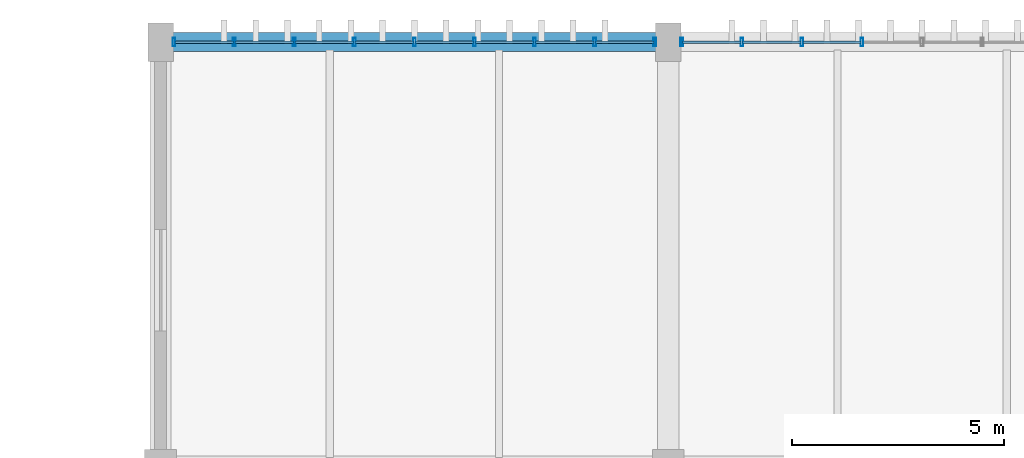
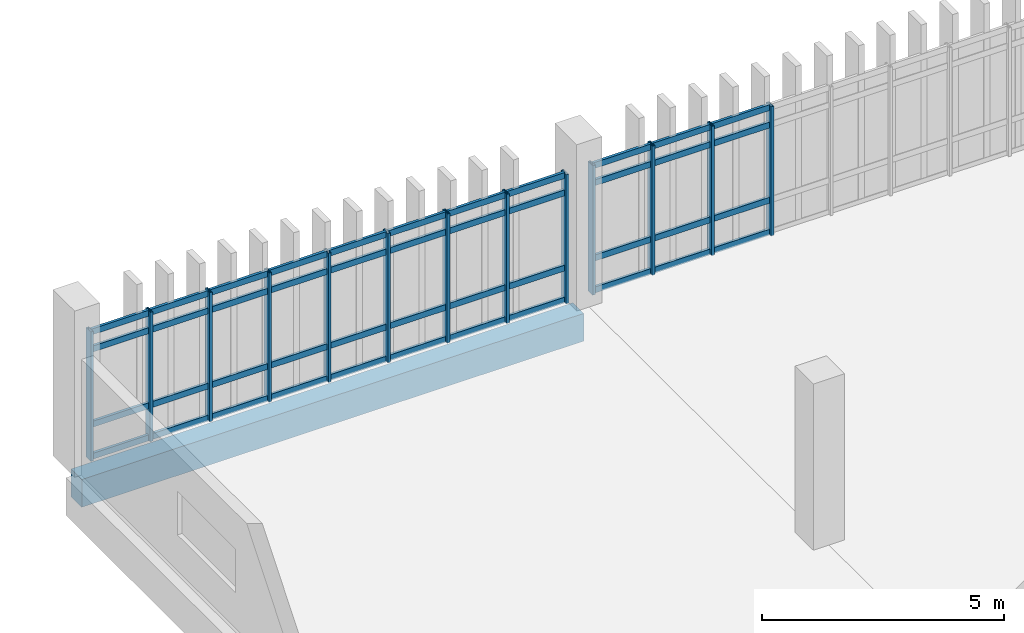
# One storey, part 73 of 161: 57 members, 1 beam, 2 elements without a shape of their own.
"""IFC4 building model written with IfcOpenShell, lengths in metres."""

from ifc_helpers import new_model, si_unit, direction, frame, origin, origin_2d, place, context, subcontext, project, spatial, rectangle, hollow_rectangle, extrude, material, layer, layer_set, material_profile, profile_set, type_object, element, aggregate, save


model = new_model("IFC4")

# Units and contexts
model_context = context("Model", 3, precision=1e-05, world=origin(), true_north=direction((0.0, 1.0)))
body_context = subcontext(model_context, "Body", "Model", "MODEL_VIEW")
ifc_project = project(units=[si_unit("LENGTHUNIT", "METRE"), si_unit("AREAUNIT", "SQUARE_METRE"), si_unit("VOLUMEUNIT", "CUBIC_METRE"), si_unit("PLANEANGLEUNIT", "RADIAN"), si_unit("MASSUNIT", "GRAM", prefix="KILO")], contexts=[model_context])

# Site, building, storey
site_placement = place(None, origin())
site = spatial("IfcSite", under=ifc_project, at=site_placement, CompositionType="ELEMENT")
building_placement = place(site_placement, origin())
building = spatial("IfcBuilding", under=site, at=building_placement, Name="Mersad Railyard Sports Hall", CompositionType="ELEMENT")
storey_placement = place(building_placement, frame((0.0, 0.0, 4.800048828125)))
storey = spatial("IfcBuildingStorey", under=building, at=storey_placement, Name="L01", CompositionType="ELEMENT", Elevation=4.800048828125)

# Curtain wall, members
ifc_material_1 = material(Name="Aluminium 6063-T6", Category="aluminium")
ifc_layer = layer(ifc_material_1, 0.199951171875)
ifc_layer_set = layer_set([ifc_layer], Name="Aluminium 6063-T6")
curtain_wall_type = type_object("IfcCurtainWallType", Name="ARC-CW-CW34", PredefinedType="USERDEFINED", material=ifc_layer_set)
curtain_wall_1_placement = place(storey_placement, origin())
curtain_wall_1 = element("IfcCurtainWall", 1, at=curtain_wall_1_placement, inside=storey, type_object=curtain_wall_type, Name="Curtain wall CW34-0095", ObjectType="CURTAIN WALL", PredefinedType="USERDEFINED")
ifc_material_profile_1 = material_profile(ifc_material_1, hollow_rectangle(XDim=0.06494140625, YDim=0.199951171875, WallThickness=0.0048828125, at=origin_2d()), Name="AL MULLION 65x200x5")
ifc_profile_set_1 = profile_set([ifc_material_profile_1], Name="Aluminium 6063-T6")
member_type_1 = type_object("IfcMemberType", Name="ARC-CW-MUL02", PredefinedType="MULLION", material=ifc_profile_set_1)
member_1_placement = place(storey_placement, frame((43.320068359375, 115.0, -0.02001953125), z_axis=(0.0, 0.0, 1.0), x_axis=(1.0, 0.0, 0.0)))
member_1 = element("IfcMember", 2, at=member_1_placement, type_object=member_type_1, Name="CW34 Mullion 1", PredefinedType="MULLION", context=body_context, shape_type="SweptSolid", body=[
    extrude(hollow_rectangle(XDim=0.06494140625, YDim=0.199951171875, WallThickness=0.0048828125, at=origin_2d()), origin(), (0.0, 0.0, 1.0), 3.27001953125),
])
member_2_placement = place(storey_placement, frame((44.739990234375, 115.0, -0.02001953125), z_axis=(0.0, 0.0, 1.0), x_axis=(1.0, 0.0, 0.0)))
member_2 = element("IfcMember", 3, at=member_2_placement, type_object=member_type_1, Name="CW34 Mullion 2", PredefinedType="MULLION", context=body_context, shape_type="SweptSolid", body=[
    extrude(hollow_rectangle(XDim=0.06494140625, YDim=0.199951171875, WallThickness=0.0048828125, at=origin_2d()), origin(), (0.0, 0.0, 1.0), 3.27001953125),
])
member_3_placement = place(storey_placement, frame((46.159912109375, 115.0, -0.02001953125), z_axis=(0.0, 0.0, 1.0), x_axis=(1.0, 0.0, 0.0)))
member_3 = element("IfcMember", 4, at=member_3_placement, type_object=member_type_1, Name="CW34 Mullion 3", PredefinedType="MULLION", context=body_context, shape_type="SweptSolid", body=[
    extrude(hollow_rectangle(XDim=0.06494140625, YDim=0.199951171875, WallThickness=0.0048828125, at=origin_2d()), origin(), (0.0, 0.0, 1.0), 3.27001953125),
])
member_4_placement = place(storey_placement, frame((47.580078125, 115.0, -0.02001953125), z_axis=(0.0, 0.0, 1.0), x_axis=(1.0, 0.0, 0.0)))
member_4 = element("IfcMember", 5, at=member_4_placement, type_object=member_type_1, Name="CW34 Mullion 4", PredefinedType="MULLION", context=body_context, shape_type="SweptSolid", body=[
    extrude(hollow_rectangle(XDim=0.06494140625, YDim=0.199951171875, WallThickness=0.0048828125, at=origin_2d()), origin(), (0.0, 0.0, 1.0), 3.27001953125),
])
member_5_placement = place(storey_placement, frame((49.0, 115.0, -0.02001953125), z_axis=(0.0, 0.0, 1.0), x_axis=(1.0, 0.0, 0.0)))
member_5 = element("IfcMember", 6, at=member_5_placement, type_object=member_type_1, Name="CW34 Mullion 5", PredefinedType="MULLION", context=body_context, shape_type="SweptSolid", body=[
    extrude(hollow_rectangle(XDim=0.06494140625, YDim=0.199951171875, WallThickness=0.0048828125, at=origin_2d()), origin(), (0.0, 0.0, 1.0), 3.27001953125),
])
member_6_placement = place(storey_placement, frame((50.419921875, 115.0, -0.02001953125), z_axis=(0.0, 0.0, 1.0), x_axis=(1.0, 0.0, 0.0)))
member_6 = element("IfcMember", 7, at=member_6_placement, type_object=member_type_1, Name="CW34 Mullion 6", PredefinedType="MULLION", context=body_context, shape_type="SweptSolid", body=[
    extrude(hollow_rectangle(XDim=0.06494140625, YDim=0.199951171875, WallThickness=0.0048828125, at=origin_2d()), origin(), (0.0, 0.0, 1.0), 3.27001953125),
])
member_7_placement = place(storey_placement, frame((51.840087890625, 115.0, -0.02001953125), z_axis=(0.0, 0.0, 1.0), x_axis=(1.0, 0.0, 0.0)))
member_7 = element("IfcMember", 8, at=member_7_placement, type_object=member_type_1, Name="CW34 Mullion 7", PredefinedType="MULLION", context=body_context, shape_type="SweptSolid", body=[
    extrude(hollow_rectangle(XDim=0.06494140625, YDim=0.199951171875, WallThickness=0.0048828125, at=origin_2d()), origin(), (0.0, 0.0, 1.0), 3.27001953125),
])
member_8_placement = place(storey_placement, frame((53.260009765625, 115.0, -0.02001953125), z_axis=(0.0, 0.0, 1.0), x_axis=(1.0, 0.0, 0.0)))
member_8 = element("IfcMember", 9, at=member_8_placement, type_object=member_type_1, Name="CW34 Mullion 8", PredefinedType="MULLION", context=body_context, shape_type="SweptSolid", body=[
    extrude(hollow_rectangle(XDim=0.06494140625, YDim=0.199951171875, WallThickness=0.0048828125, at=origin_2d()), origin(), (0.0, 0.0, 1.0), 3.27001953125),
])
member_9_placement = place(storey_placement, frame((54.679931640625, 115.0, -0.02001953125), z_axis=(0.0, 0.0, 1.0), x_axis=(1.0, 0.0, 0.0)))
member_9 = element("IfcMember", 10, at=member_9_placement, type_object=member_type_1, Name="CW34 Mullion 9", PredefinedType="MULLION", context=body_context, shape_type="SweptSolid", body=[
    extrude(hollow_rectangle(XDim=0.06494140625, YDim=0.199951171875, WallThickness=0.0048828125, at=origin_2d()), origin(), (0.0, 0.0, 1.0), 3.27001953125),
])

curtain_wall_2_placement = place(storey_placement, origin())
curtain_wall_2 = element("IfcCurtainWall", 11, at=curtain_wall_2_placement, inside=storey, type_object=curtain_wall_type, Name="Curtain wall CW34-0096", ObjectType="CURTAIN WALL", PredefinedType="USERDEFINED")
member_10_placement = place(storey_placement, frame((55.320068359375, 115.0, -0.02001953125), z_axis=(0.0, 0.0, 1.0), x_axis=(1.0, 0.0, 0.0)))
member_10 = element("IfcMember", 12, at=member_10_placement, type_object=member_type_1, Name="CW34 Mullion 1", PredefinedType="MULLION", context=body_context, shape_type="SweptSolid", body=[
    extrude(hollow_rectangle(XDim=0.06494140625, YDim=0.199951171875, WallThickness=0.0048828125, at=origin_2d()), origin(), (0.0, 0.0, 1.0), 3.27001953125),
])
member_11_placement = place(storey_placement, frame((56.739990234375, 115.0, -0.02001953125), z_axis=(0.0, 0.0, 1.0), x_axis=(1.0, 0.0, 0.0)))
member_11 = element("IfcMember", 13, at=member_11_placement, type_object=member_type_1, Name="CW34 Mullion 2", PredefinedType="MULLION", context=body_context, shape_type="SweptSolid", body=[
    extrude(hollow_rectangle(XDim=0.06494140625, YDim=0.199951171875, WallThickness=0.0048828125, at=origin_2d()), origin(), (0.0, 0.0, 1.0), 3.27001953125),
])
member_12_placement = place(storey_placement, frame((58.159912109375, 115.0, -0.02001953125), z_axis=(0.0, 0.0, 1.0), x_axis=(1.0, 0.0, 0.0)))
member_12 = element("IfcMember", 14, at=member_12_placement, type_object=member_type_1, Name="CW34 Mullion 3", PredefinedType="MULLION", context=body_context, shape_type="SweptSolid", body=[
    extrude(hollow_rectangle(XDim=0.06494140625, YDim=0.199951171875, WallThickness=0.0048828125, at=origin_2d()), origin(), (0.0, 0.0, 1.0), 3.27001953125),
])
member_13_placement = place(storey_placement, frame((59.580078125, 115.0, -0.02001953125), z_axis=(0.0, 0.0, 1.0), x_axis=(1.0, 0.0, 0.0)))
member_13 = element("IfcMember", 15, at=member_13_placement, type_object=member_type_1, Name="CW34 Mullion 4", PredefinedType="MULLION", context=body_context, shape_type="SweptSolid", body=[
    extrude(hollow_rectangle(XDim=0.06494140625, YDim=0.199951171875, WallThickness=0.0048828125, at=origin_2d()), origin(), (0.0, 0.0, 1.0), 3.27001953125),
])

# Member
ifc_material_profile_2 = material_profile(ifc_material_1, hollow_rectangle(XDim=0.06494140625, YDim=0.14990234375, WallThickness=0.00439453125, at=origin_2d()), Name="AL TRANSOM 65x150x4.5")
ifc_profile_set_2 = profile_set([ifc_material_profile_2], Name="Aluminium 6063-T6")
member_type_2 = type_object("IfcMemberType", Name="ARC-CW-TRN02", PredefinedType="USERDEFINED", material=ifc_profile_set_2)
member_14_placement = place(storey_placement, frame((43.340087890625, 115.0, 0.0400390625), z_axis=(1.0, 0.0, 0.0), x_axis=(0.0, 1.0, 0.0)))
member_14 = element("IfcMember", 16, at=member_14_placement, type_object=member_type_2, Name="CW34 Transom 1-1", ObjectType="TRANSOM", PredefinedType="USERDEFINED", context=body_context, shape_type="SweptSolid", body=[
    extrude(hollow_rectangle(XDim=0.06494140625, YDim=0.14990234375, WallThickness=0.00439453125, at=origin_2d()), origin(), (0.0, 0.0, 1.0), 1.3798828125),
])

member_15_placement = place(storey_placement, frame((44.760009765625, 115.0, 0.0400390625), z_axis=(1.0, 0.0, 0.0), x_axis=(0.0, 1.0, 0.0)))
member_15 = element("IfcMember", 17, at=member_15_placement, type_object=member_type_2, Name="CW34 Transom 1-2", ObjectType="TRANSOM", PredefinedType="USERDEFINED", context=body_context, shape_type="SweptSolid", body=[
    extrude(hollow_rectangle(XDim=0.06494140625, YDim=0.14990234375, WallThickness=0.00439453125, at=origin_2d()), origin(), (0.0, 0.0, 1.0), 1.3798828125),
])

member_16_placement = place(storey_placement, frame((46.179931640625, 115.0, 0.0400390625), z_axis=(1.0, 0.0, 0.0), x_axis=(0.0, 1.0, 0.0)))
member_16 = element("IfcMember", 18, at=member_16_placement, type_object=member_type_2, Name="CW34 Transom 1-3", ObjectType="TRANSOM", PredefinedType="USERDEFINED", context=body_context, shape_type="SweptSolid", body=[
    extrude(hollow_rectangle(XDim=0.06494140625, YDim=0.14990234375, WallThickness=0.00439453125, at=origin_2d()), origin(), (0.0, 0.0, 1.0), 1.380126953125),
])

member_17_placement = place(storey_placement, frame((47.60009765625, 115.0, 0.0400390625), z_axis=(1.0, 0.0, 0.0), x_axis=(0.0, 1.0, 0.0)))
member_17 = element("IfcMember", 19, at=member_17_placement, type_object=member_type_2, Name="CW34 Transom 1-4", ObjectType="TRANSOM", PredefinedType="USERDEFINED", context=body_context, shape_type="SweptSolid", body=[
    extrude(hollow_rectangle(XDim=0.06494140625, YDim=0.14990234375, WallThickness=0.00439453125, at=origin_2d()), origin(), (0.0, 0.0, 1.0), 1.3798828125),
])

member_18_placement = place(storey_placement, frame((49.02001953125, 115.0, 0.0400390625), z_axis=(1.0, 0.0, 0.0), x_axis=(0.0, 1.0, 0.0)))
member_18 = element("IfcMember", 20, at=member_18_placement, type_object=member_type_2, Name="CW34 Transom 1-5", ObjectType="TRANSOM", PredefinedType="USERDEFINED", context=body_context, shape_type="SweptSolid", body=[
    extrude(hollow_rectangle(XDim=0.06494140625, YDim=0.14990234375, WallThickness=0.00439453125, at=origin_2d()), origin(), (0.0, 0.0, 1.0), 1.3798828125),
])

member_19_placement = place(storey_placement, frame((50.43994140625, 115.0, 0.0400390625), z_axis=(1.0, 0.0, 0.0), x_axis=(0.0, 1.0, 0.0)))
member_19 = element("IfcMember", 21, at=member_19_placement, type_object=member_type_2, Name="CW34 Transom 1-6", ObjectType="TRANSOM", PredefinedType="USERDEFINED", context=body_context, shape_type="SweptSolid", body=[
    extrude(hollow_rectangle(XDim=0.06494140625, YDim=0.14990234375, WallThickness=0.00439453125, at=origin_2d()), origin(), (0.0, 0.0, 1.0), 1.380126953125),
])

member_20_placement = place(storey_placement, frame((51.860107421875, 115.0, 0.0400390625), z_axis=(1.0, 0.0, 0.0), x_axis=(0.0, 1.0, 0.0)))
member_20 = element("IfcMember", 22, at=member_20_placement, type_object=member_type_2, Name="CW34 Transom 1-7", ObjectType="TRANSOM", PredefinedType="USERDEFINED", context=body_context, shape_type="SweptSolid", body=[
    extrude(hollow_rectangle(XDim=0.06494140625, YDim=0.14990234375, WallThickness=0.00439453125, at=origin_2d()), origin(), (0.0, 0.0, 1.0), 1.3798828125),
])

member_21_placement = place(storey_placement, frame((53.280029296875, 115.0, 0.0400390625), z_axis=(1.0, 0.0, 0.0), x_axis=(0.0, 1.0, 0.0)))
member_21 = element("IfcMember", 23, at=member_21_placement, type_object=member_type_2, Name="CW34 Transom 1-8", ObjectType="TRANSOM", PredefinedType="USERDEFINED", context=body_context, shape_type="SweptSolid", body=[
    extrude(hollow_rectangle(XDim=0.06494140625, YDim=0.14990234375, WallThickness=0.00439453125, at=origin_2d()), origin(), (0.0, 0.0, 1.0), 1.3798828125),
])

member_22_placement = place(storey_placement, frame((43.340087890625, 115.0, 0.849853515625), z_axis=(1.0, 0.0, 0.0), x_axis=(0.0, 1.0, 0.0)))
member_22 = element("IfcMember", 24, at=member_22_placement, type_object=member_type_2, Name="CW34 Transom 2-1", ObjectType="TRANSOM", PredefinedType="USERDEFINED", context=body_context, shape_type="SweptSolid", body=[
    extrude(hollow_rectangle(XDim=0.06494140625, YDim=0.14990234375, WallThickness=0.00439453125, at=origin_2d()), origin(), (0.0, 0.0, 1.0), 1.3798828125),
])

member_23_placement = place(storey_placement, frame((44.760009765625, 115.0, 0.849853515625), z_axis=(1.0, 0.0, 0.0), x_axis=(0.0, 1.0, 0.0)))
member_23 = element("IfcMember", 25, at=member_23_placement, type_object=member_type_2, Name="CW34 Transom 2-2", ObjectType="TRANSOM", PredefinedType="USERDEFINED", context=body_context, shape_type="SweptSolid", body=[
    extrude(hollow_rectangle(XDim=0.06494140625, YDim=0.14990234375, WallThickness=0.00439453125, at=origin_2d()), origin(), (0.0, 0.0, 1.0), 1.3798828125),
])

member_24_placement = place(storey_placement, frame((46.179931640625, 115.0, 0.849853515625), z_axis=(1.0, 0.0, 0.0), x_axis=(0.0, 1.0, 0.0)))
member_24 = element("IfcMember", 26, at=member_24_placement, type_object=member_type_2, Name="CW34 Transom 2-3", ObjectType="TRANSOM", PredefinedType="USERDEFINED", context=body_context, shape_type="SweptSolid", body=[
    extrude(hollow_rectangle(XDim=0.06494140625, YDim=0.14990234375, WallThickness=0.00439453125, at=origin_2d()), origin(), (0.0, 0.0, 1.0), 1.380126953125),
])

member_25_placement = place(storey_placement, frame((47.60009765625, 115.0, 0.849853515625), z_axis=(1.0, 0.0, 0.0), x_axis=(0.0, 1.0, 0.0)))
member_25 = element("IfcMember", 27, at=member_25_placement, type_object=member_type_2, Name="CW34 Transom 2-4", ObjectType="TRANSOM", PredefinedType="USERDEFINED", context=body_context, shape_type="SweptSolid", body=[
    extrude(hollow_rectangle(XDim=0.06494140625, YDim=0.14990234375, WallThickness=0.00439453125, at=origin_2d()), origin(), (0.0, 0.0, 1.0), 1.3798828125),
])

member_26_placement = place(storey_placement, frame((49.02001953125, 115.0, 0.849853515625), z_axis=(1.0, 0.0, 0.0), x_axis=(0.0, 1.0, 0.0)))
member_26 = element("IfcMember", 28, at=member_26_placement, type_object=member_type_2, Name="CW34 Transom 2-5", ObjectType="TRANSOM", PredefinedType="USERDEFINED", context=body_context, shape_type="SweptSolid", body=[
    extrude(hollow_rectangle(XDim=0.06494140625, YDim=0.14990234375, WallThickness=0.00439453125, at=origin_2d()), origin(), (0.0, 0.0, 1.0), 1.3798828125),
])

member_27_placement = place(storey_placement, frame((50.43994140625, 115.0, 0.849853515625), z_axis=(1.0, 0.0, 0.0), x_axis=(0.0, 1.0, 0.0)))
member_27 = element("IfcMember", 29, at=member_27_placement, type_object=member_type_2, Name="CW34 Transom 2-6", ObjectType="TRANSOM", PredefinedType="USERDEFINED", context=body_context, shape_type="SweptSolid", body=[
    extrude(hollow_rectangle(XDim=0.06494140625, YDim=0.14990234375, WallThickness=0.00439453125, at=origin_2d()), origin(), (0.0, 0.0, 1.0), 1.380126953125),
])

member_28_placement = place(storey_placement, frame((51.860107421875, 115.0, 0.849853515625), z_axis=(1.0, 0.0, 0.0), x_axis=(0.0, 1.0, 0.0)))
member_28 = element("IfcMember", 30, at=member_28_placement, type_object=member_type_2, Name="CW34 Transom 2-7", ObjectType="TRANSOM", PredefinedType="USERDEFINED", context=body_context, shape_type="SweptSolid", body=[
    extrude(hollow_rectangle(XDim=0.06494140625, YDim=0.14990234375, WallThickness=0.00439453125, at=origin_2d()), origin(), (0.0, 0.0, 1.0), 1.3798828125),
])

member_29_placement = place(storey_placement, frame((53.280029296875, 115.0, 0.849853515625), z_axis=(1.0, 0.0, 0.0), x_axis=(0.0, 1.0, 0.0)))
member_29 = element("IfcMember", 31, at=member_29_placement, type_object=member_type_2, Name="CW34 Transom 2-8", ObjectType="TRANSOM", PredefinedType="USERDEFINED", context=body_context, shape_type="SweptSolid", body=[
    extrude(hollow_rectangle(XDim=0.06494140625, YDim=0.14990234375, WallThickness=0.00439453125, at=origin_2d()), origin(), (0.0, 0.0, 1.0), 1.3798828125),
])

member_30_placement = place(storey_placement, frame((43.340087890625, 115.0, 2.75), z_axis=(1.0, 0.0, 0.0), x_axis=(0.0, 1.0, 0.0)))
member_30 = element("IfcMember", 32, at=member_30_placement, type_object=member_type_2, Name="CW34 Transom 3-1", ObjectType="TRANSOM", PredefinedType="USERDEFINED", context=body_context, shape_type="SweptSolid", body=[
    extrude(hollow_rectangle(XDim=0.06494140625, YDim=0.14990234375, WallThickness=0.00439453125, at=origin_2d()), origin(), (0.0, 0.0, 1.0), 1.3798828125),
])

member_31_placement = place(storey_placement, frame((44.760009765625, 115.0, 2.75), z_axis=(1.0, 0.0, 0.0), x_axis=(0.0, 1.0, 0.0)))
member_31 = element("IfcMember", 33, at=member_31_placement, type_object=member_type_2, Name="CW34 Transom 3-2", ObjectType="TRANSOM", PredefinedType="USERDEFINED", context=body_context, shape_type="SweptSolid", body=[
    extrude(hollow_rectangle(XDim=0.06494140625, YDim=0.14990234375, WallThickness=0.00439453125, at=origin_2d()), origin(), (0.0, 0.0, 1.0), 1.3798828125),
])

member_32_placement = place(storey_placement, frame((46.179931640625, 115.0, 2.75), z_axis=(1.0, 0.0, 0.0), x_axis=(0.0, 1.0, 0.0)))
member_32 = element("IfcMember", 34, at=member_32_placement, type_object=member_type_2, Name="CW34 Transom 3-3", ObjectType="TRANSOM", PredefinedType="USERDEFINED", context=body_context, shape_type="SweptSolid", body=[
    extrude(hollow_rectangle(XDim=0.06494140625, YDim=0.14990234375, WallThickness=0.00439453125, at=origin_2d()), origin(), (0.0, 0.0, 1.0), 1.380126953125),
])

member_33_placement = place(storey_placement, frame((47.60009765625, 115.0, 2.75), z_axis=(1.0, 0.0, 0.0), x_axis=(0.0, 1.0, 0.0)))
member_33 = element("IfcMember", 35, at=member_33_placement, type_object=member_type_2, Name="CW34 Transom 3-4", ObjectType="TRANSOM", PredefinedType="USERDEFINED", context=body_context, shape_type="SweptSolid", body=[
    extrude(hollow_rectangle(XDim=0.06494140625, YDim=0.14990234375, WallThickness=0.00439453125, at=origin_2d()), origin(), (0.0, 0.0, 1.0), 1.3798828125),
])

member_34_placement = place(storey_placement, frame((49.02001953125, 115.0, 2.75), z_axis=(1.0, 0.0, 0.0), x_axis=(0.0, 1.0, 0.0)))
member_34 = element("IfcMember", 36, at=member_34_placement, type_object=member_type_2, Name="CW34 Transom 3-5", ObjectType="TRANSOM", PredefinedType="USERDEFINED", context=body_context, shape_type="SweptSolid", body=[
    extrude(hollow_rectangle(XDim=0.06494140625, YDim=0.14990234375, WallThickness=0.00439453125, at=origin_2d()), origin(), (0.0, 0.0, 1.0), 1.3798828125),
])

member_35_placement = place(storey_placement, frame((50.43994140625, 115.0, 2.75), z_axis=(1.0, 0.0, 0.0), x_axis=(0.0, 1.0, 0.0)))
member_35 = element("IfcMember", 37, at=member_35_placement, type_object=member_type_2, Name="CW34 Transom 3-6", ObjectType="TRANSOM", PredefinedType="USERDEFINED", context=body_context, shape_type="SweptSolid", body=[
    extrude(hollow_rectangle(XDim=0.06494140625, YDim=0.14990234375, WallThickness=0.00439453125, at=origin_2d()), origin(), (0.0, 0.0, 1.0), 1.380126953125),
])

member_36_placement = place(storey_placement, frame((51.860107421875, 115.0, 2.75), z_axis=(1.0, 0.0, 0.0), x_axis=(0.0, 1.0, 0.0)))
member_36 = element("IfcMember", 38, at=member_36_placement, type_object=member_type_2, Name="CW34 Transom 3-7", ObjectType="TRANSOM", PredefinedType="USERDEFINED", context=body_context, shape_type="SweptSolid", body=[
    extrude(hollow_rectangle(XDim=0.06494140625, YDim=0.14990234375, WallThickness=0.00439453125, at=origin_2d()), origin(), (0.0, 0.0, 1.0), 1.3798828125),
])

member_37_placement = place(storey_placement, frame((53.280029296875, 115.0, 2.75), z_axis=(1.0, 0.0, 0.0), x_axis=(0.0, 1.0, 0.0)))
member_37 = element("IfcMember", 39, at=member_37_placement, type_object=member_type_2, Name="CW34 Transom 3-8", ObjectType="TRANSOM", PredefinedType="USERDEFINED", context=body_context, shape_type="SweptSolid", body=[
    extrude(hollow_rectangle(XDim=0.06494140625, YDim=0.14990234375, WallThickness=0.00439453125, at=origin_2d()), origin(), (0.0, 0.0, 1.0), 1.3798828125),
])

member_38_placement = place(storey_placement, frame((43.340087890625, 115.0, 3.18994140625), z_axis=(1.0, 0.0, 0.0), x_axis=(0.0, 1.0, 0.0)))
member_38 = element("IfcMember", 40, at=member_38_placement, type_object=member_type_2, Name="CW34 Transom 4-1", ObjectType="TRANSOM", PredefinedType="USERDEFINED", context=body_context, shape_type="SweptSolid", body=[
    extrude(hollow_rectangle(XDim=0.06494140625, YDim=0.14990234375, WallThickness=0.00439453125, at=origin_2d()), origin(), (0.0, 0.0, 1.0), 1.3798828125),
])

member_39_placement = place(storey_placement, frame((44.760009765625, 115.0, 3.18994140625), z_axis=(1.0, 0.0, 0.0), x_axis=(0.0, 1.0, 0.0)))
member_39 = element("IfcMember", 41, at=member_39_placement, type_object=member_type_2, Name="CW34 Transom 4-2", ObjectType="TRANSOM", PredefinedType="USERDEFINED", context=body_context, shape_type="SweptSolid", body=[
    extrude(hollow_rectangle(XDim=0.06494140625, YDim=0.14990234375, WallThickness=0.00439453125, at=origin_2d()), origin(), (0.0, 0.0, 1.0), 1.3798828125),
])

member_40_placement = place(storey_placement, frame((46.179931640625, 115.0, 3.18994140625), z_axis=(1.0, 0.0, 0.0), x_axis=(0.0, 1.0, 0.0)))
member_40 = element("IfcMember", 42, at=member_40_placement, type_object=member_type_2, Name="CW34 Transom 4-3", ObjectType="TRANSOM", PredefinedType="USERDEFINED", context=body_context, shape_type="SweptSolid", body=[
    extrude(hollow_rectangle(XDim=0.06494140625, YDim=0.14990234375, WallThickness=0.00439453125, at=origin_2d()), origin(), (0.0, 0.0, 1.0), 1.380126953125),
])

member_41_placement = place(storey_placement, frame((47.60009765625, 115.0, 3.18994140625), z_axis=(1.0, 0.0, 0.0), x_axis=(0.0, 1.0, 0.0)))
member_41 = element("IfcMember", 43, at=member_41_placement, type_object=member_type_2, Name="CW34 Transom 4-4", ObjectType="TRANSOM", PredefinedType="USERDEFINED", context=body_context, shape_type="SweptSolid", body=[
    extrude(hollow_rectangle(XDim=0.06494140625, YDim=0.14990234375, WallThickness=0.00439453125, at=origin_2d()), origin(), (0.0, 0.0, 1.0), 1.3798828125),
])

member_42_placement = place(storey_placement, frame((49.02001953125, 115.0, 3.18994140625), z_axis=(1.0, 0.0, 0.0), x_axis=(0.0, 1.0, 0.0)))
member_42 = element("IfcMember", 44, at=member_42_placement, type_object=member_type_2, Name="CW34 Transom 4-5", ObjectType="TRANSOM", PredefinedType="USERDEFINED", context=body_context, shape_type="SweptSolid", body=[
    extrude(hollow_rectangle(XDim=0.06494140625, YDim=0.14990234375, WallThickness=0.00439453125, at=origin_2d()), origin(), (0.0, 0.0, 1.0), 1.3798828125),
])

member_43_placement = place(storey_placement, frame((50.43994140625, 115.0, 3.18994140625), z_axis=(1.0, 0.0, 0.0), x_axis=(0.0, 1.0, 0.0)))
member_43 = element("IfcMember", 45, at=member_43_placement, type_object=member_type_2, Name="CW34 Transom 4-6", ObjectType="TRANSOM", PredefinedType="USERDEFINED", context=body_context, shape_type="SweptSolid", body=[
    extrude(hollow_rectangle(XDim=0.06494140625, YDim=0.14990234375, WallThickness=0.00439453125, at=origin_2d()), origin(), (0.0, 0.0, 1.0), 1.380126953125),
])

member_44_placement = place(storey_placement, frame((51.860107421875, 115.0, 3.18994140625), z_axis=(1.0, 0.0, 0.0), x_axis=(0.0, 1.0, 0.0)))
member_44 = element("IfcMember", 46, at=member_44_placement, type_object=member_type_2, Name="CW34 Transom 4-7", ObjectType="TRANSOM", PredefinedType="USERDEFINED", context=body_context, shape_type="SweptSolid", body=[
    extrude(hollow_rectangle(XDim=0.06494140625, YDim=0.14990234375, WallThickness=0.00439453125, at=origin_2d()), origin(), (0.0, 0.0, 1.0), 1.3798828125),
])

member_45_placement = place(storey_placement, frame((53.280029296875, 115.0, 3.18994140625), z_axis=(1.0, 0.0, 0.0), x_axis=(0.0, 1.0, 0.0)))
member_45 = element("IfcMember", 47, at=member_45_placement, type_object=member_type_2, Name="CW34 Transom 4-8", ObjectType="TRANSOM", PredefinedType="USERDEFINED", context=body_context, shape_type="SweptSolid", body=[
    extrude(hollow_rectangle(XDim=0.06494140625, YDim=0.14990234375, WallThickness=0.00439453125, at=origin_2d()), origin(), (0.0, 0.0, 1.0), 1.3798828125),
])

aggregate(curtain_wall_1, [member_1, member_2, member_3, member_4, member_5, member_6, member_7, member_8, member_9, member_14, member_15, member_16, member_17, member_18, member_19, member_20, member_21, member_22, member_23, member_24, member_25, member_26, member_27, member_28, member_29, member_30, member_31, member_32, member_33, member_34, member_35, member_36, member_37, member_38, member_39, member_40, member_41, member_42, member_43, member_44, member_45])

member_46_placement = place(storey_placement, frame((55.340087890625, 115.0, 0.0400390625), z_axis=(1.0, 0.0, 0.0), x_axis=(0.0, 1.0, 0.0)))
member_46 = element("IfcMember", 48, at=member_46_placement, type_object=member_type_2, Name="CW34 Transom 1-1", ObjectType="TRANSOM", PredefinedType="USERDEFINED", context=body_context, shape_type="SweptSolid", body=[
    extrude(hollow_rectangle(XDim=0.06494140625, YDim=0.14990234375, WallThickness=0.00439453125, at=origin_2d()), origin(), (0.0, 0.0, 1.0), 1.3798828125),
])

member_47_placement = place(storey_placement, frame((56.760009765625, 115.0, 0.0400390625), z_axis=(1.0, 0.0, 0.0), x_axis=(0.0, 1.0, 0.0)))
member_47 = element("IfcMember", 49, at=member_47_placement, type_object=member_type_2, Name="CW34 Transom 1-2", ObjectType="TRANSOM", PredefinedType="USERDEFINED", context=body_context, shape_type="SweptSolid", body=[
    extrude(hollow_rectangle(XDim=0.06494140625, YDim=0.14990234375, WallThickness=0.00439453125, at=origin_2d()), origin(), (0.0, 0.0, 1.0), 1.3798828125),
])

member_48_placement = place(storey_placement, frame((58.179931640625, 115.0, 0.0400390625), z_axis=(1.0, 0.0, 0.0), x_axis=(0.0, 1.0, 0.0)))
member_48 = element("IfcMember", 50, at=member_48_placement, type_object=member_type_2, Name="CW34 Transom 1-3", ObjectType="TRANSOM", PredefinedType="USERDEFINED", context=body_context, shape_type="SweptSolid", body=[
    extrude(hollow_rectangle(XDim=0.06494140625, YDim=0.14990234375, WallThickness=0.00439453125, at=origin_2d()), origin(), (0.0, 0.0, 1.0), 1.380126953125),
])

member_49_placement = place(storey_placement, frame((55.340087890625, 115.0, 0.849853515625), z_axis=(1.0, 0.0, 0.0), x_axis=(0.0, 1.0, 0.0)))
member_49 = element("IfcMember", 51, at=member_49_placement, type_object=member_type_2, Name="CW34 Transom 2-1", ObjectType="TRANSOM", PredefinedType="USERDEFINED", context=body_context, shape_type="SweptSolid", body=[
    extrude(hollow_rectangle(XDim=0.06494140625, YDim=0.14990234375, WallThickness=0.00439453125, at=origin_2d()), origin(), (0.0, 0.0, 1.0), 1.3798828125),
])

member_50_placement = place(storey_placement, frame((56.760009765625, 115.0, 0.849853515625), z_axis=(1.0, 0.0, 0.0), x_axis=(0.0, 1.0, 0.0)))
member_50 = element("IfcMember", 52, at=member_50_placement, type_object=member_type_2, Name="CW34 Transom 2-2", ObjectType="TRANSOM", PredefinedType="USERDEFINED", context=body_context, shape_type="SweptSolid", body=[
    extrude(hollow_rectangle(XDim=0.06494140625, YDim=0.14990234375, WallThickness=0.00439453125, at=origin_2d()), origin(), (0.0, 0.0, 1.0), 1.3798828125),
])

member_51_placement = place(storey_placement, frame((58.179931640625, 115.0, 0.849853515625), z_axis=(1.0, 0.0, 0.0), x_axis=(0.0, 1.0, 0.0)))
member_51 = element("IfcMember", 53, at=member_51_placement, type_object=member_type_2, Name="CW34 Transom 2-3", ObjectType="TRANSOM", PredefinedType="USERDEFINED", context=body_context, shape_type="SweptSolid", body=[
    extrude(hollow_rectangle(XDim=0.06494140625, YDim=0.14990234375, WallThickness=0.00439453125, at=origin_2d()), origin(), (0.0, 0.0, 1.0), 1.380126953125),
])

member_52_placement = place(storey_placement, frame((55.340087890625, 115.0, 2.75), z_axis=(1.0, 0.0, 0.0), x_axis=(0.0, 1.0, 0.0)))
member_52 = element("IfcMember", 54, at=member_52_placement, type_object=member_type_2, Name="CW34 Transom 3-1", ObjectType="TRANSOM", PredefinedType="USERDEFINED", context=body_context, shape_type="SweptSolid", body=[
    extrude(hollow_rectangle(XDim=0.06494140625, YDim=0.14990234375, WallThickness=0.00439453125, at=origin_2d()), origin(), (0.0, 0.0, 1.0), 1.3798828125),
])

member_53_placement = place(storey_placement, frame((56.760009765625, 115.0, 2.75), z_axis=(1.0, 0.0, 0.0), x_axis=(0.0, 1.0, 0.0)))
member_53 = element("IfcMember", 55, at=member_53_placement, type_object=member_type_2, Name="CW34 Transom 3-2", ObjectType="TRANSOM", PredefinedType="USERDEFINED", context=body_context, shape_type="SweptSolid", body=[
    extrude(hollow_rectangle(XDim=0.06494140625, YDim=0.14990234375, WallThickness=0.00439453125, at=origin_2d()), origin(), (0.0, 0.0, 1.0), 1.3798828125),
])

member_54_placement = place(storey_placement, frame((58.179931640625, 115.0, 2.75), z_axis=(1.0, 0.0, 0.0), x_axis=(0.0, 1.0, 0.0)))
member_54 = element("IfcMember", 56, at=member_54_placement, type_object=member_type_2, Name="CW34 Transom 3-3", ObjectType="TRANSOM", PredefinedType="USERDEFINED", context=body_context, shape_type="SweptSolid", body=[
    extrude(hollow_rectangle(XDim=0.06494140625, YDim=0.14990234375, WallThickness=0.00439453125, at=origin_2d()), origin(), (0.0, 0.0, 1.0), 1.380126953125),
])

member_55_placement = place(storey_placement, frame((55.340087890625, 115.0, 3.18994140625), z_axis=(1.0, 0.0, 0.0), x_axis=(0.0, 1.0, 0.0)))
member_55 = element("IfcMember", 57, at=member_55_placement, type_object=member_type_2, Name="CW34 Transom 4-1", ObjectType="TRANSOM", PredefinedType="USERDEFINED", context=body_context, shape_type="SweptSolid", body=[
    extrude(hollow_rectangle(XDim=0.06494140625, YDim=0.14990234375, WallThickness=0.00439453125, at=origin_2d()), origin(), (0.0, 0.0, 1.0), 1.3798828125),
])

member_56_placement = place(storey_placement, frame((56.760009765625, 115.0, 3.18994140625), z_axis=(1.0, 0.0, 0.0), x_axis=(0.0, 1.0, 0.0)))
member_56 = element("IfcMember", 58, at=member_56_placement, type_object=member_type_2, Name="CW34 Transom 4-2", ObjectType="TRANSOM", PredefinedType="USERDEFINED", context=body_context, shape_type="SweptSolid", body=[
    extrude(hollow_rectangle(XDim=0.06494140625, YDim=0.14990234375, WallThickness=0.00439453125, at=origin_2d()), origin(), (0.0, 0.0, 1.0), 1.3798828125),
])

member_57_placement = place(storey_placement, frame((58.179931640625, 115.0, 3.18994140625), z_axis=(1.0, 0.0, 0.0), x_axis=(0.0, 1.0, 0.0)))
member_57 = element("IfcMember", 59, at=member_57_placement, type_object=member_type_2, Name="CW34 Transom 4-3", ObjectType="TRANSOM", PredefinedType="USERDEFINED", context=body_context, shape_type="SweptSolid", body=[
    extrude(hollow_rectangle(XDim=0.06494140625, YDim=0.14990234375, WallThickness=0.00439453125, at=origin_2d()), origin(), (0.0, 0.0, 1.0), 1.380126953125),
])

aggregate(curtain_wall_2, [member_10, member_11, member_12, member_13, member_46, member_47, member_48, member_49, member_50, member_51, member_52, member_53, member_54, member_55, member_56, member_57])

# Beam
ifc_material_2 = material(Name="Architectural concrete C40/50", Category="concrete")
ifc_material_profile_3 = material_profile(ifc_material_2, rectangle(XDim=0.449951171875, YDim=0.699951171875, at=origin_2d()), Name="RC 450x700")
ifc_profile_set_3 = profile_set([ifc_material_profile_3], Name="Architectural concrete C40/50")
beam_type = type_object("IfcBeamType", Name="STR-BM-SP01", PredefinedType="SPANDREL", material=ifc_profile_set_3)
beam_placement = place(storey_placement, frame((43.0, 115.0, -0.650146484375), z_axis=(1.0, 0.0, 0.0), x_axis=(0.0, 1.0, 0.0)))
element("IfcBeam", 60, at=beam_placement, inside=storey, type_object=beam_type, Name="Beam SP01-0948", PredefinedType="SPANDREL", context=body_context, shape_type="SweptSolid", body=[
    extrude(rectangle(XDim=0.449951171875, YDim=0.699951171875, at=origin_2d()), origin(), (0.0, 0.0, 1.0), 12.0),
])

save(model, "model.ifc")
